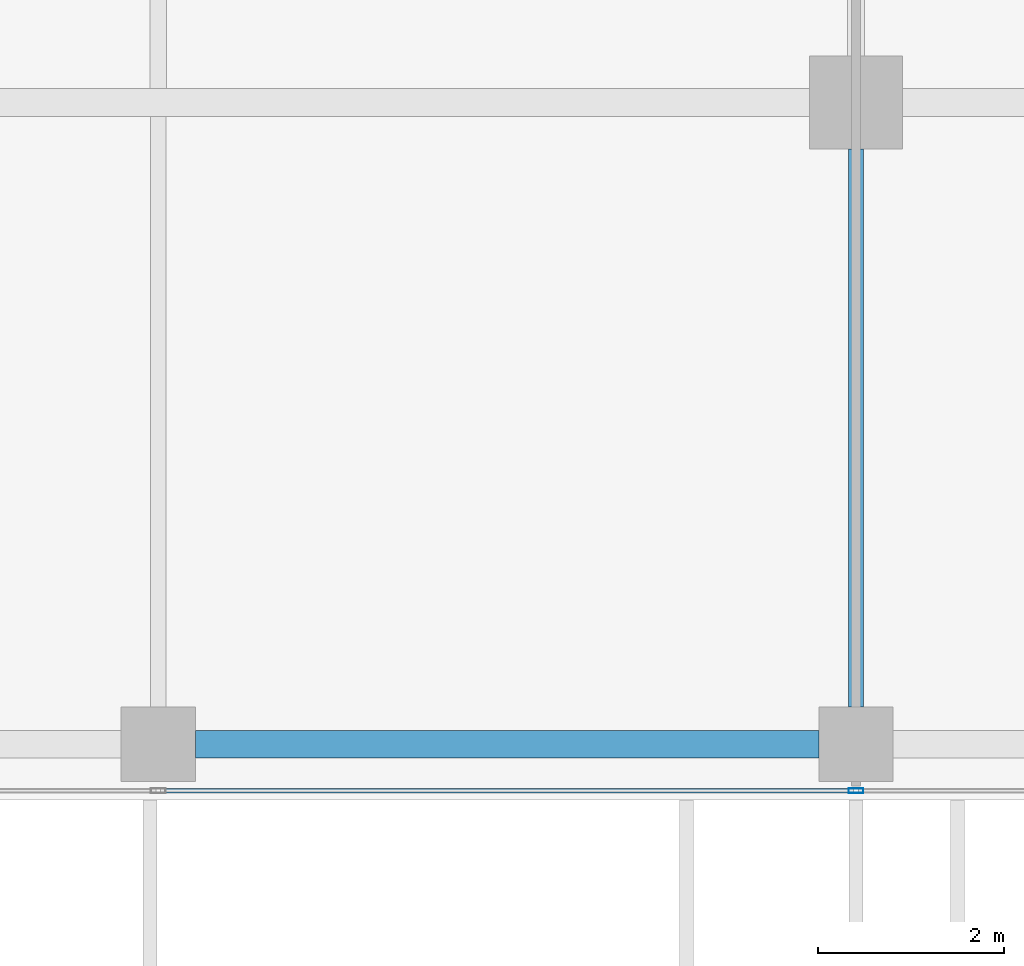
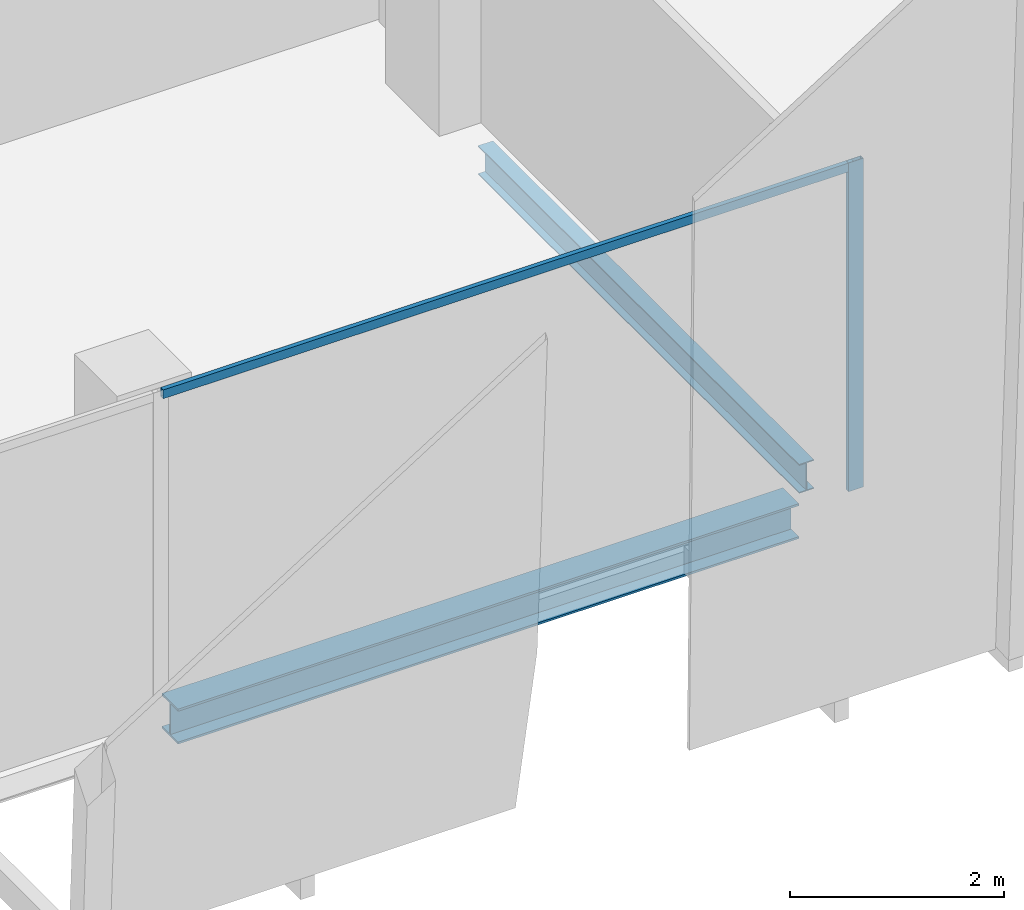
# One storey, part 5 of 32: 2 beams, 2 members, 1 element without a shape of its own.
"""IFC4 building model written with IfcOpenShell, lengths in metres."""

from ifc_helpers import new_model, si_unit, direction, frame, origin, origin_2d, place, context, subcontext, project, spatial, hollow_rectangle, i_section, extrude, source, transform, mapped, material, material_profile, profile_set, type_object, element, aggregate, save


model = new_model("IFC4")

# Units and contexts
model_context = context("Model", 3, precision=1e-05, world=origin(), true_north=direction((0.0, 1.0)))
body_context = subcontext(model_context, "Body", "Model", "MODEL_VIEW")
ifc_project = project(units=[si_unit("LENGTHUNIT", "METRE"), si_unit("AREAUNIT", "SQUARE_METRE"), si_unit("VOLUMEUNIT", "CUBIC_METRE"), si_unit("PLANEANGLEUNIT", "RADIAN"), si_unit("MASSUNIT", "GRAM", prefix="KILO")], contexts=[model_context])

# Site, building, storey
site_placement = place(None, origin())
site = spatial("IfcSite", under=ifc_project, at=site_placement, CompositionType="ELEMENT")
building_placement = place(site_placement, origin())
building = spatial("IfcBuilding", under=site, at=building_placement, Name="Khomas Fold Tower", CompositionType="ELEMENT")
storey_placement = place(building_placement, frame((0.0, 0.0, 318.199951171875)))
storey = spatial("IfcBuildingStorey", under=building, at=storey_placement, Name="L72", CompositionType="ELEMENT", Elevation=318.199951171875)

# Beams
ifc_material_1 = material(Name="Steel S355", Category="steel")
ifc_material_profile_1 = material_profile(ifc_material_1, i_section(OverallWidth=0.300048828125, OverallDepth=0.39990234375, WebThickness=0.013427734375, FlangeThickness=0.02392578125, at=origin_2d()), Name="HE 400 B")
ifc_profile_set_1 = profile_set([ifc_material_profile_1], Name="Steel S355")
beam_type_1 = type_object("IfcBeamType", Name="HE 400 B spandrel SB5", PredefinedType="SPANDREL", material=ifc_profile_set_1)
shared_shape_1 = source(origin(), body_context, "Body", "SweptSolid", [
    extrude(i_section(OverallWidth=0.300048828125, OverallDepth=0.39990234375, WebThickness=0.013427734375, FlangeThickness=0.02392578125, at=origin_2d()), origin(), (0.0, 0.0, 1.0), 6.7001953125),
])
beam_1_placement = place(storey_placement, frame((27.39990234375, 6.60009765625, -0.449951171875), z_axis=(1.0, 0.0, 0.0), x_axis=(0.0, 1.0, 0.0)))
element("IfcBeam", 1, at=beam_1_placement, inside=storey, type_object=beam_type_1, Name="SB5", PredefinedType="SPANDREL", context=body_context, shape_type="MappedRepresentation", body=[
    mapped(shared_shape_1, transform((0.0, 0.0, 0.0))),
])
ifc_material_2 = material(Name="Steel S355", Category="steel")
ifc_material_profile_2 = material_profile(ifc_material_2, i_section(OverallWidth=0.159912109375, OverallDepth=0.330078125, WebThickness=0.007568359375, FlangeThickness=0.011474609375, at=origin_2d()), Name="IPE 330")
ifc_profile_set_2 = profile_set([ifc_material_profile_2], Name="Steel S355")
beam_type_2 = type_object("IfcBeamType", Name="IPE 330 beam JB1", PredefinedType="BEAM", material=ifc_profile_set_2)
shared_shape_2 = source(origin(), body_context, "Body", "SweptSolid", [
    extrude(i_section(OverallWidth=0.159912109375, OverallDepth=0.330078125, WebThickness=0.007568359375, FlangeThickness=0.011474609375, at=origin_2d()), origin(), (0.0, 0.0, 1.0), 6.0),
])
beam_2_placement = place(storey_placement, frame((34.5, 7.0, -0.4150390625), z_axis=(0.0, 1.0, 0.0), x_axis=(-1.0, 0.0, 0.0)))
element("IfcBeam", 2, at=beam_2_placement, inside=storey, type_object=beam_type_2, Name="JB1", PredefinedType="BEAM", context=body_context, shape_type="MappedRepresentation", body=[
    mapped(shared_shape_2, transform((0.0, 0.0, 0.0))),
])

# Curtain wall, members
ifc_material_3 = material(Name="Aluminium framed double glazing", Category="aluminium")
curtain_wall_type = type_object("IfcCurtainWallType", Name="SK-Unitised clear-glass wall, upper floors CW3", PredefinedType="NOTDEFINED", material=ifc_material_3)
curtain_wall_placement = place(storey_placement, origin())
curtain_wall = element("IfcCurtainWall", 3, at=curtain_wall_placement, inside=storey, type_object=curtain_wall_type, Name="CW3 run L72 00-0", PredefinedType="NOTDEFINED")
ifc_material_4 = material(Name="Aluminium", Category="aluminium")
ifc_material_profile_3 = material_profile(ifc_material_4, hollow_rectangle(XDim=0.050048828125, YDim=0.159912109375, WallThickness=0.00390625, at=origin_2d()), Name="SK-Unitised clear-glass wall, upper floors mullion CW3-M")
ifc_profile_set_3 = profile_set([ifc_material_profile_3], Name="Aluminium")
member_type_1 = type_object("IfcMemberType", Name="SK-Unitised clear-glass wall, upper floors mullion CW3-M", PredefinedType="MULLION", material=ifc_profile_set_3)
shared_shape_3 = source(origin(), body_context, "Body", "SweptSolid", [
    extrude(hollow_rectangle(XDim=0.050048828125, YDim=0.159912109375, WallThickness=0.00390625, at=origin_2d()), origin(), (0.0, 0.0, 1.0), 3.75),
])
member_1_placement = place(storey_placement, frame((34.5, 6.10009765625, 0.0), z_axis=(0.0, 0.0, 1.0), x_axis=(0.0, 1.0, 0.0)))
member_1 = element("IfcMember", 4, at=member_1_placement, type_object=member_type_1, Name="CW3 mullion 5", PredefinedType="MULLION", context=body_context, shape_type="MappedRepresentation", body=[
    mapped(shared_shape_3, transform((0.0, 0.0, 0.0))),
])
ifc_material_5 = material(Name="Aluminium", Category="aluminium")
ifc_material_profile_4 = material_profile(ifc_material_5, hollow_rectangle(XDim=0.050048828125, YDim=0.10009765625, WallThickness=0.00390625, at=origin_2d()), Name="SK-Unitised clear-glass wall, upper floors transom CW3-T")
ifc_profile_set_4 = profile_set([ifc_material_profile_4], Name="Aluminium")
member_type_2 = type_object("IfcMemberType", Name="SK-Unitised clear-glass wall, upper floors transom CW3-T", PredefinedType="USERDEFINED", material=ifc_profile_set_4)
shared_shape_4 = source(origin(), body_context, "Body", "SweptSolid", [
    extrude(hollow_rectangle(XDim=0.050048828125, YDim=0.10009765625, WallThickness=0.00390625, at=origin_2d()), origin(), (0.0, 0.0, 1.0), 7.4501953125),
])
member_2_placement = place(storey_placement, frame((27.02490234375, 6.10009765625, 3.699951171875), z_axis=(1.0, 0.0, 0.0), x_axis=(0.0, 1.0, 0.0)))
member_2 = element("IfcMember", 5, at=member_2_placement, type_object=member_type_2, Name="CW3 transom 4", ObjectType="TRANSOM", PredefinedType="USERDEFINED", context=body_context, shape_type="MappedRepresentation", body=[
    mapped(shared_shape_4, transform((0.0, 0.0, 0.0))),
])
aggregate(curtain_wall, [member_1, member_2])

save(model, "model.ifc")
